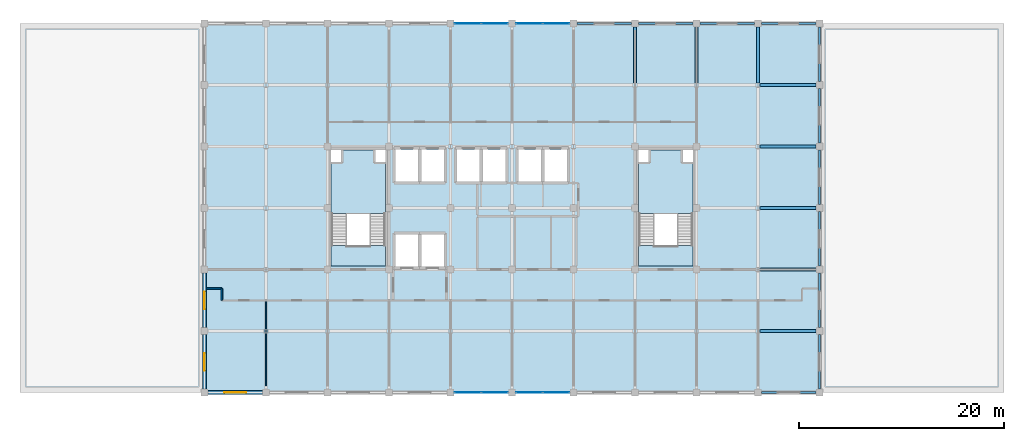
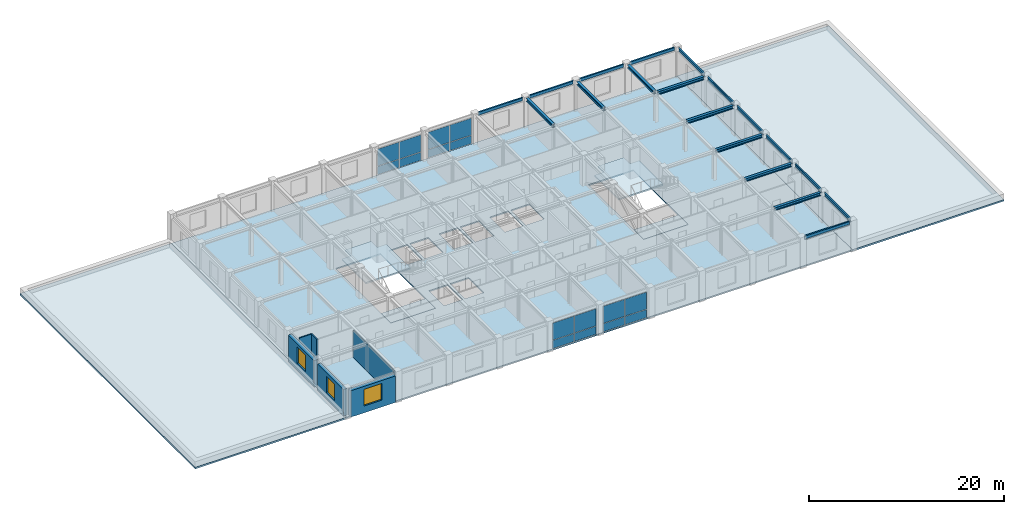
# One storey, part 7 of 13: 19 beams, 16 plates, 7 slabs, 6 walls, 3 windows, 3 openings, 6 elements without a shape of their own.
"""IFC4 building model written with IfcOpenShell, lengths in metres."""

from ifc_helpers import new_model, si_unit, direction, frame, frame_2d, origin, origin_2d, place, context, subcontext, project, spatial, polyline, rectangle, i_section, outline, extrude, material, layer, layer_set, material_profile, profile_set, type_object, element, fill, aggregate, save


model = new_model("IFC4")

# Units and contexts
model_context = context("Model", 3, precision=1e-05, world=origin(), true_north=direction((0.0, 1.0)))
body_context = subcontext(model_context, "Body", "Model", "MODEL_VIEW")
ifc_project = project(units=[si_unit("LENGTHUNIT", "METRE"), si_unit("AREAUNIT", "SQUARE_METRE"), si_unit("VOLUMEUNIT", "CUBIC_METRE"), si_unit("PLANEANGLEUNIT", "RADIAN"), si_unit("MASSUNIT", "GRAM", prefix="KILO")], contexts=[model_context])

# Site, building, storey
site_placement = place(None, origin())
site = spatial("IfcSite", under=ifc_project, at=site_placement, CompositionType="ELEMENT")
building_placement = place(site_placement, origin())
building = spatial("IfcBuilding", under=site, at=building_placement, Name="Zlatovratsky Civic Hall", CompositionType="ELEMENT")
storey_placement = place(building_placement, frame((0.0, 0.0, 24.89990234375)))
storey = spatial("IfcBuildingStorey", under=building, at=storey_placement, Name="L06", CompositionType="ELEMENT", Elevation=24.89990234375)

# Beams
ifc_material_1 = material(Name="Steel S355", Category="steel")
ifc_material_profile_1 = material_profile(ifc_material_1, i_section(OverallWidth=0.169921875, OverallDepth=0.446044921875, WebThickness=0.007568359375, FlangeThickness=0.010986328125, FilletRadius=0.01611328125, at=origin_2d()), Name="45B1")
ifc_profile_set_1 = profile_set([ifc_material_profile_1], Name="Steel S355")
beam_type_1 = type_object("IfcBeamType", Name="Beam_Spandrel_45B1", PredefinedType="SPANDREL", material=ifc_profile_set_1)
for number, where, z_axis, x_axis, name in (
    (1, (108.35009765625, 72.0, 3.51708984375), (1.0, 0.0, 0.0), (0.0, 1.0, 0.0), "BM-4118"),
    (2, (90.35009765625, 108.0, 3.51708984375), (1.0, 0.0, 0.0), (0.0, 1.0, 0.0), "BM-4173"),
    (3, (96.35009765625, 108.0, 3.51708984375), (1.0, 0.0, 0.0), (0.0, 1.0, 0.0), "BM-4174"),
    (4, (102.35009765625, 108.0, 3.51708984375), (1.0, 0.0, 0.0), (0.0, 1.0, 0.0), "BM-4175"),
    (5, (108.35009765625, 108.0, 3.51708984375), (1.0, 0.0, 0.0), (0.0, 1.0, 0.0), "BM-4176"),
    (6, (114.0, 72.35009765625, 3.51708984375), (0.0, 1.0, 0.0), (-1.0, 0.0, 0.0), "BM-4237"),
    (7, (114.0, 78.35009765625, 3.51708984375), (0.0, 1.0, 0.0), (-1.0, 0.0, 0.0), "BM-4238"),
    (8, (114.0, 84.35009765625, 3.51708984375), (0.0, 1.0, 0.0), (-1.0, 0.0, 0.0), "BM-4239"),
    (9, (114.0, 90.35009765625, 3.51708984375), (0.0, 1.0, 0.0), (-1.0, 0.0, 0.0), "BM-4240"),
    (10, (114.0, 96.35009765625, 3.51708984375), (0.0, 1.0, 0.0), (-1.0, 0.0, 0.0), "BM-4241"),
    (11, (114.0, 102.35009765625, 3.51708984375), (0.0, 1.0, 0.0), (-1.0, 0.0, 0.0), "BM-4242"),
):
    element("IfcBeam", number, at=place(storey_placement, frame(where, z_axis=z_axis, x_axis=x_axis)), inside=storey, type_object=beam_type_1, Name=name, PredefinedType="SPANDREL", context=body_context, shape_type="SweptSolid", body=[
        extrude(i_section(OverallWidth=0.169921875, OverallDepth=0.446044921875, WebThickness=0.007568359375, FlangeThickness=0.010986328125, FilletRadius=0.01611328125, at=origin_2d()), origin(), (0.0, 0.0, 1.0), 5.2998046875),
    ])
ifc_material_profile_2 = material_profile(ifc_material_1, i_section(OverallWidth=0.300048828125, OverallDepth=0.387939453125, WebThickness=0.009521484375, FlangeThickness=0.013916015625, FilletRadius=0.02197265625, at=origin_2d()), Name="40Sh1")
ifc_profile_set_2 = profile_set([ifc_material_profile_2], Name="Steel S355")
beam_type_2 = type_object("IfcBeamType", Name="Beam_TowerMid_40Sh1", PredefinedType="BEAM", material=ifc_profile_set_2)
for number, where, z_axis, x_axis, name in (
    (12, (108.199951171875, 78.0, 3.546142578125), (1.0, 0.0, 0.0), (0.0, 1.0, 0.0), "BM-4128"),
    (13, (108.199951171875, 84.0, 3.546142578125), (1.0, 0.0, 0.0), (0.0, 1.0, 0.0), "BM-4138"),
    (14, (108.199951171875, 90.0, 3.546142578125), (1.0, 0.0, 0.0), (0.0, 1.0, 0.0), "BM-4146"),
    (15, (108.199951171875, 96.0, 3.546142578125), (1.0, 0.0, 0.0), (0.0, 1.0, 0.0), "BM-4156"),
    (16, (108.199951171875, 102.0, 3.546142578125), (1.0, 0.0, 0.0), (0.0, 1.0, 0.0), "BM-4166"),
    (17, (96.0, 102.199951171875, 3.546142578125), (0.0, 1.0, 0.0), (-1.0, 0.0, 0.0), "BM-4224"),
    (18, (102.0, 102.199951171875, 3.546142578125), (0.0, 1.0, 0.0), (-1.0, 0.0, 0.0), "BM-4230"),
    (19, (108.0, 102.199951171875, 3.546142578125), (0.0, 1.0, 0.0), (-1.0, 0.0, 0.0), "BM-4236"),
):
    element("IfcBeam", number, at=place(storey_placement, frame(where, z_axis=z_axis, x_axis=x_axis)), inside=storey, type_object=beam_type_2, Name=name, PredefinedType="BEAM", context=body_context, shape_type="SweptSolid", body=[
        extrude(i_section(OverallWidth=0.300048828125, OverallDepth=0.387939453125, WebThickness=0.009521484375, FlangeThickness=0.013916015625, FilletRadius=0.02197265625, at=origin_2d()), origin(), (0.0, 0.0, 1.0), 5.449951171875),
    ])

# Curtain wall, plates
ifc_material_2 = material(Name="Anodised bronze aluminium", Category="aluminium")
ifc_layer_1 = layer(ifc_material_2, 0.159912109375)
ifc_layer_set_1 = layer_set([ifc_layer_1], Name="Anodised bronze aluminium")
curtain_wall_type = type_object("IfcCurtainWallType", Name="CurtainWall_Bronze_5300x3320_21", PredefinedType="NOTDEFINED", material=ifc_layer_set_1)
curtain_wall_1_placement = place(storey_placement, origin())
curtain_wall_1 = element("IfcCurtainWall", 20, at=curtain_wall_1_placement, inside=storey, type_object=curtain_wall_type, Name="CW-133", PredefinedType="NOTDEFINED")
ifc_material_3 = material(Name="Solar-control triple glazing", Category="glass")
ifc_layer_2 = layer(ifc_material_3, 0.028076171875)
ifc_layer_set_2 = layer_set([ifc_layer_2], Name="Solar-control triple glazing")
plate_type = type_object("IfcPlateType", Name="Panel_TowerTripleGlazing_28", PredefinedType="CURTAIN_PANEL", material=ifc_layer_set_2)
plate_1_placement = place(storey_placement, frame((79.68994140625, 72.0, 0.06005859375), z_axis=(0.0, 0.0, 1.0), x_axis=(1.0, 0.0, 0.0)))
plate_1 = element("IfcPlate", 21, at=plate_1_placement, type_object=plate_type, Name="CW-21 panel 1.1", PredefinedType="CURTAIN_PANEL", context=body_context, shape_type="SweptSolid", body=[
    extrude(rectangle(XDim=2.56005859375, YDim=0.028076171875, at=origin_2d()), origin(), (0.0, 0.0, 1.0), 1.010009765625),
])
plate_2_placement = place(storey_placement, frame((79.68994140625, 72.0, 1.130126953125), z_axis=(0.0, 0.0, 1.0), x_axis=(1.0, 0.0, 0.0)))
plate_2 = element("IfcPlate", 22, at=plate_2_placement, type_object=plate_type, Name="CW-21 panel 1.2", PredefinedType="CURTAIN_PANEL", context=body_context, shape_type="SweptSolid", body=[
    extrude(rectangle(XDim=2.56005859375, YDim=0.028076171875, at=origin_2d()), origin(), (0.0, 0.0, 1.0), 2.1298828125),
])
plate_3_placement = place(storey_placement, frame((82.31005859375, 72.0, 0.06005859375), z_axis=(0.0, 0.0, 1.0), x_axis=(1.0, 0.0, 0.0)))
plate_3 = element("IfcPlate", 23, at=plate_3_placement, type_object=plate_type, Name="CW-21 panel 2.1", PredefinedType="CURTAIN_PANEL", context=body_context, shape_type="SweptSolid", body=[
    extrude(rectangle(XDim=2.56005859375, YDim=0.028076171875, at=origin_2d()), origin(), (0.0, 0.0, 1.0), 1.010009765625),
])
plate_4_placement = place(storey_placement, frame((82.31005859375, 72.0, 1.130126953125), z_axis=(0.0, 0.0, 1.0), x_axis=(1.0, 0.0, 0.0)))
plate_4 = element("IfcPlate", 24, at=plate_4_placement, type_object=plate_type, Name="CW-21 panel 2.2", PredefinedType="CURTAIN_PANEL", context=body_context, shape_type="SweptSolid", body=[
    extrude(rectangle(XDim=2.56005859375, YDim=0.028076171875, at=origin_2d()), origin(), (0.0, 0.0, 1.0), 2.1298828125),
])
aggregate(curtain_wall_1, [plate_1, plate_2, plate_3, plate_4])

curtain_wall_2_placement = place(storey_placement, origin())
curtain_wall_2 = element("IfcCurtainWall", 25, at=curtain_wall_2_placement, inside=storey, type_object=curtain_wall_type, Name="CW-134", PredefinedType="NOTDEFINED")
plate_5_placement = place(storey_placement, frame((85.68994140625, 72.0, 0.06005859375), z_axis=(0.0, 0.0, 1.0), x_axis=(1.0, 0.0, 0.0)))
plate_5 = element("IfcPlate", 26, at=plate_5_placement, type_object=plate_type, Name="CW-21 panel 1.1", PredefinedType="CURTAIN_PANEL", context=body_context, shape_type="SweptSolid", body=[
    extrude(rectangle(XDim=2.56005859375, YDim=0.028076171875, at=origin_2d()), origin(), (0.0, 0.0, 1.0), 1.010009765625),
])
plate_6_placement = place(storey_placement, frame((85.68994140625, 72.0, 1.130126953125), z_axis=(0.0, 0.0, 1.0), x_axis=(1.0, 0.0, 0.0)))
plate_6 = element("IfcPlate", 27, at=plate_6_placement, type_object=plate_type, Name="CW-21 panel 1.2", PredefinedType="CURTAIN_PANEL", context=body_context, shape_type="SweptSolid", body=[
    extrude(rectangle(XDim=2.56005859375, YDim=0.028076171875, at=origin_2d()), origin(), (0.0, 0.0, 1.0), 2.1298828125),
])
plate_7_placement = place(storey_placement, frame((88.31005859375, 72.0, 0.06005859375), z_axis=(0.0, 0.0, 1.0), x_axis=(1.0, 0.0, 0.0)))
plate_7 = element("IfcPlate", 28, at=plate_7_placement, type_object=plate_type, Name="CW-21 panel 2.1", PredefinedType="CURTAIN_PANEL", context=body_context, shape_type="SweptSolid", body=[
    extrude(rectangle(XDim=2.56005859375, YDim=0.028076171875, at=origin_2d()), origin(), (0.0, 0.0, 1.0), 1.010009765625),
])
plate_8_placement = place(storey_placement, frame((88.31005859375, 72.0, 1.130126953125), z_axis=(0.0, 0.0, 1.0), x_axis=(1.0, 0.0, 0.0)))
plate_8 = element("IfcPlate", 29, at=plate_8_placement, type_object=plate_type, Name="CW-21 panel 2.2", PredefinedType="CURTAIN_PANEL", context=body_context, shape_type="SweptSolid", body=[
    extrude(rectangle(XDim=2.56005859375, YDim=0.028076171875, at=origin_2d()), origin(), (0.0, 0.0, 1.0), 2.1298828125),
])
aggregate(curtain_wall_2, [plate_5, plate_6, plate_7, plate_8])

curtain_wall_3_placement = place(storey_placement, origin())
curtain_wall_3 = element("IfcCurtainWall", 30, at=curtain_wall_3_placement, inside=storey, type_object=curtain_wall_type, Name="CW-135", PredefinedType="NOTDEFINED")
plate_9_placement = place(storey_placement, frame((79.68994140625, 108.0, 0.06005859375), z_axis=(0.0, 0.0, 1.0), x_axis=(1.0, 0.0, 0.0)))
plate_9 = element("IfcPlate", 31, at=plate_9_placement, type_object=plate_type, Name="CW-21 panel 1.1", PredefinedType="CURTAIN_PANEL", context=body_context, shape_type="SweptSolid", body=[
    extrude(rectangle(XDim=2.56005859375, YDim=0.028076171875, at=origin_2d()), origin(), (0.0, 0.0, 1.0), 1.010009765625),
])
plate_10_placement = place(storey_placement, frame((79.68994140625, 108.0, 1.130126953125), z_axis=(0.0, 0.0, 1.0), x_axis=(1.0, 0.0, 0.0)))
plate_10 = element("IfcPlate", 32, at=plate_10_placement, type_object=plate_type, Name="CW-21 panel 1.2", PredefinedType="CURTAIN_PANEL", context=body_context, shape_type="SweptSolid", body=[
    extrude(rectangle(XDim=2.56005859375, YDim=0.028076171875, at=origin_2d()), origin(), (0.0, 0.0, 1.0), 2.1298828125),
])
plate_11_placement = place(storey_placement, frame((82.31005859375, 108.0, 0.06005859375), z_axis=(0.0, 0.0, 1.0), x_axis=(1.0, 0.0, 0.0)))
plate_11 = element("IfcPlate", 33, at=plate_11_placement, type_object=plate_type, Name="CW-21 panel 2.1", PredefinedType="CURTAIN_PANEL", context=body_context, shape_type="SweptSolid", body=[
    extrude(rectangle(XDim=2.56005859375, YDim=0.028076171875, at=origin_2d()), origin(), (0.0, 0.0, 1.0), 1.010009765625),
])
plate_12_placement = place(storey_placement, frame((82.31005859375, 108.0, 1.130126953125), z_axis=(0.0, 0.0, 1.0), x_axis=(1.0, 0.0, 0.0)))
plate_12 = element("IfcPlate", 34, at=plate_12_placement, type_object=plate_type, Name="CW-21 panel 2.2", PredefinedType="CURTAIN_PANEL", context=body_context, shape_type="SweptSolid", body=[
    extrude(rectangle(XDim=2.56005859375, YDim=0.028076171875, at=origin_2d()), origin(), (0.0, 0.0, 1.0), 2.1298828125),
])
aggregate(curtain_wall_3, [plate_9, plate_10, plate_11, plate_12])

curtain_wall_4_placement = place(storey_placement, origin())
curtain_wall_4 = element("IfcCurtainWall", 35, at=curtain_wall_4_placement, inside=storey, type_object=curtain_wall_type, Name="CW-136", PredefinedType="NOTDEFINED")
plate_13_placement = place(storey_placement, frame((85.68994140625, 108.0, 0.06005859375), z_axis=(0.0, 0.0, 1.0), x_axis=(1.0, 0.0, 0.0)))
plate_13 = element("IfcPlate", 36, at=plate_13_placement, type_object=plate_type, Name="CW-21 panel 1.1", PredefinedType="CURTAIN_PANEL", context=body_context, shape_type="SweptSolid", body=[
    extrude(rectangle(XDim=2.56005859375, YDim=0.028076171875, at=origin_2d()), origin(), (0.0, 0.0, 1.0), 1.010009765625),
])
plate_14_placement = place(storey_placement, frame((85.68994140625, 108.0, 1.130126953125), z_axis=(0.0, 0.0, 1.0), x_axis=(1.0, 0.0, 0.0)))
plate_14 = element("IfcPlate", 37, at=plate_14_placement, type_object=plate_type, Name="CW-21 panel 1.2", PredefinedType="CURTAIN_PANEL", context=body_context, shape_type="SweptSolid", body=[
    extrude(rectangle(XDim=2.56005859375, YDim=0.028076171875, at=origin_2d()), origin(), (0.0, 0.0, 1.0), 2.1298828125),
])
plate_15_placement = place(storey_placement, frame((88.31005859375, 108.0, 0.06005859375), z_axis=(0.0, 0.0, 1.0), x_axis=(1.0, 0.0, 0.0)))
plate_15 = element("IfcPlate", 38, at=plate_15_placement, type_object=plate_type, Name="CW-21 panel 2.1", PredefinedType="CURTAIN_PANEL", context=body_context, shape_type="SweptSolid", body=[
    extrude(rectangle(XDim=2.56005859375, YDim=0.028076171875, at=origin_2d()), origin(), (0.0, 0.0, 1.0), 1.010009765625),
])
plate_16_placement = place(storey_placement, frame((88.31005859375, 108.0, 1.130126953125), z_axis=(0.0, 0.0, 1.0), x_axis=(1.0, 0.0, 0.0)))
plate_16 = element("IfcPlate", 39, at=plate_16_placement, type_object=plate_type, Name="CW-21 panel 2.2", PredefinedType="CURTAIN_PANEL", context=body_context, shape_type="SweptSolid", body=[
    extrude(rectangle(XDim=2.56005859375, YDim=0.028076171875, at=origin_2d()), origin(), (0.0, 0.0, 1.0), 2.1298828125),
])
aggregate(curtain_wall_4, [plate_13, plate_14, plate_15, plate_16])

# Slabs
ifc_material_4 = material(Name="Concrete C35/45 (B40)", Category="concrete")
ifc_layer_3 = layer(ifc_material_4, 0.199951171875)
ifc_layer_set_3 = layer_set([ifc_layer_3], Name="Concrete C35/45 (B40)")
slab_type_1 = type_object("IfcSlabType", Name="Slab_ChamberCofferedRoof_200", PredefinedType="ROOF", material=ifc_layer_set_3)
slab_1_placement = place(storey_placement, frame((0.0, 0.0, -0.199951171875)))
element("IfcSlab", 40, at=slab_1_placement, inside=storey, type_object=slab_type_1, Name="SL-102", PredefinedType="ROOF", context=body_context, shape_type="SweptSolid", body=[
    extrude(outline(polyline([(36.0, 72.0), (54.0, 72.0), (54.0, 108.0), (36.0, 108.0), (36.0, 72.0)])), origin(), (0.0, 0.0, 1.0), 0.199951171875),
])
slab_2_placement = place(storey_placement, frame((0.0, 0.0, -0.199951171875)))
element("IfcSlab", 41, at=slab_2_placement, inside=storey, type_object=slab_type_1, Name="SL-103", PredefinedType="ROOF", context=body_context, shape_type="SweptSolid", body=[
    extrude(outline(polyline([(114.0, 72.0), (132.0, 72.0), (132.0, 108.0), (114.0, 108.0), (114.0, 72.0)])), origin(), (0.0, 0.0, 1.0), 0.199951171875),
])
ifc_material_5 = material(Name="Concrete C30/37 (B35)", Category="concrete")
ifc_layer_4 = layer(ifc_material_5, 0.239990234375)
ifc_layer_set_4 = layer_set([ifc_layer_4], Name="Concrete C30/37 (B35)")
slab_type_2 = type_object("IfcSlabType", Name="Slab_CivicPodiumFloor_240", PredefinedType="FLOOR", material=ifc_layer_set_4)
slab_3_placement = place(storey_placement, frame((0.0, 0.0, -0.239990234375)))
element("IfcSlab", 42, at=slab_3_placement, inside=storey, type_object=slab_type_2, Name="SL-051", PredefinedType="FLOOR", context=body_context, shape_type="SweptSolid", body=[
    extrude(outline(polyline([(66.35009765625, 84.35009765625), (71.64990234375, 84.35009765625), (71.64990234375, 86.35009765625), (66.35009765625, 86.35009765625), (66.35009765625, 84.35009765625)])), origin(), (0.0, 0.0, 1.0), 0.239990234375),
])
slab_4_placement = place(storey_placement, frame((0.0, 0.0, -0.239990234375)))
element("IfcSlab", 43, at=slab_4_placement, inside=storey, type_object=slab_type_2, Name="SL-052", PredefinedType="FLOOR", context=body_context, shape_type="SweptSolid", body=[
    extrude(outline(polyline([(96.35009765625, 84.35009765625), (101.64990234375, 84.35009765625), (101.64990234375, 86.35009765625), (96.35009765625, 86.35009765625), (96.35009765625, 84.35009765625)])), origin(), (0.0, 0.0, 1.0), 0.239990234375),
])

# Stair, slab
stair_type = type_object("IfcStairType", Name="Stair_HALF_24R_1550W_04", PredefinedType="HALF_TURN_STAIR", material=ifc_material_5)
stair_1_placement = place(storey_placement, origin())
stair_1 = element("IfcStair", 44, at=stair_1_placement, inside=storey, type_object=stair_type, Name="ST-007", PredefinedType="HALF_TURN_STAIR")
ifc_layer_5 = layer(ifc_material_5, 0.179931640625)
ifc_layer_set_5 = layer_set([ifc_layer_5], Name="Concrete C30/37 (B35)")
slab_type_3 = type_object("IfcSlabType", Name="Slab_StairLanding_180", PredefinedType="LANDING", material=ifc_layer_set_5)
slab_5_placement = place(storey_placement, frame((0.0, 0.0, 1.77001953125)))
slab_5 = element("IfcSlab", 45, at=slab_5_placement, type_object=slab_type_3, Name="SL-LD-07", PredefinedType="LANDING", context=body_context, shape_type="SweptSolid", body=[
    extrude(outline(polyline([(66.35009765625, 89.485107421875), (71.64990234375, 89.485107421875), (71.64990234375, 94.39990234375), (70.550048828125, 94.39990234375), (70.550048828125, 95.64990234375), (67.449951171875, 95.64990234375), (67.449951171875, 94.39990234375), (66.35009765625, 94.39990234375), (66.35009765625, 89.485107421875)])), origin(), (0.0, 0.0, 1.0), 0.18017578125),
])
aggregate(stair_1, [slab_5])

stair_2_placement = place(storey_placement, origin())
stair_2 = element("IfcStair", 46, at=stair_2_placement, inside=storey, type_object=stair_type, Name="ST-026", PredefinedType="HALF_TURN_STAIR")
slab_6_placement = place(storey_placement, frame((0.0, 0.0, 1.77001953125)))
slab_6 = element("IfcSlab", 47, at=slab_6_placement, type_object=slab_type_3, Name="SL-LD-26", PredefinedType="LANDING", context=body_context, shape_type="SweptSolid", body=[
    extrude(outline(polyline([(96.35009765625, 89.485107421875), (101.64990234375, 89.485107421875), (101.64990234375, 94.39990234375), (100.550048828125, 94.39990234375), (100.550048828125, 95.64990234375), (97.449951171875, 95.64990234375), (97.449951171875, 94.39990234375), (96.35009765625, 94.39990234375), (96.35009765625, 89.485107421875)])), origin(), (0.0, 0.0, 1.0), 0.18017578125),
])
aggregate(stair_2, [slab_6])

# Slab
ifc_layer_6 = layer(ifc_material_5, 0.159912109375)
ifc_layer_set_6 = layer_set([ifc_layer_6], Name="Concrete C30/37 (B35)")
slab_type_4 = type_object("IfcSlabType", Name="Slab_TowerCompositeFloor_160", PredefinedType="FLOOR", material=ifc_layer_set_6)
slab_7_placement = place(storey_placement, frame((0.0, 0.0, -0.159912109375)))
element("IfcSlab", 48, at=slab_7_placement, inside=storey, type_object=slab_type_4, Name="SL-050", PredefinedType="FLOOR", context=body_context, shape_type="SweptSolid", body=[
    extrude(outline(polyline([(54.0, 72.0), (114.0, 72.0), (114.0, 108.0), (54.0, 108.0), (54.0, 72.0)]), holes=[polyline([(66.35009765625, 84.35009765625), (71.64990234375, 84.35009765625), (71.64990234375, 95.64990234375), (66.35009765625, 95.64990234375), (66.35009765625, 84.35009765625)]), polyline([(96.35009765625, 84.35009765625), (101.64990234375, 84.35009765625), (101.64990234375, 95.64990234375), (96.35009765625, 95.64990234375), (96.35009765625, 84.35009765625)]), polyline([(72.64990234375, 84.300048828125), (74.85009765625, 84.300048828125), (74.85009765625, 87.39990234375), (72.64990234375, 87.39990234375), (72.64990234375, 84.300048828125)]), polyline([(75.14990234375, 84.300048828125), (77.35009765625, 84.300048828125), (77.35009765625, 87.39990234375), (75.14990234375, 87.39990234375), (75.14990234375, 84.300048828125)]), polyline([(72.64990234375, 92.60009765625), (74.85009765625, 92.60009765625), (74.85009765625, 95.699951171875), (72.64990234375, 95.699951171875), (72.64990234375, 92.60009765625)]), polyline([(75.14990234375, 92.60009765625), (77.35009765625, 92.60009765625), (77.35009765625, 95.699951171875), (75.14990234375, 95.699951171875), (75.14990234375, 92.60009765625)]), polyline([(78.64990234375, 92.60009765625), (80.85009765625, 92.60009765625), (80.85009765625, 95.699951171875), (78.64990234375, 95.699951171875), (78.64990234375, 92.60009765625)]), polyline([(81.14990234375, 92.60009765625), (83.35009765625, 92.60009765625), (83.35009765625, 95.699951171875), (81.14990234375, 95.699951171875), (81.14990234375, 92.60009765625)]), polyline([(84.64990234375, 92.60009765625), (86.85009765625, 92.60009765625), (86.85009765625, 95.699951171875), (84.64990234375, 95.699951171875), (84.64990234375, 92.60009765625)]), polyline([(87.14990234375, 92.60009765625), (89.35009765625, 92.60009765625), (89.35009765625, 95.699951171875), (87.14990234375, 95.699951171875), (87.14990234375, 92.60009765625)])]), origin(), (0.0, 0.0, 1.0), 0.159912109375),
])

# Walls
ifc_material_6 = material(Name="Fire-rated gypsum board framing", Category="gypsum")
ifc_layer_7 = layer(ifc_material_6, 0.139892578125)
ifc_layer_set_7 = layer_set([ifc_layer_7], Name="Fire-rated gypsum board framing")
wall_type_1 = type_object("IfcWallType", Name="Wall_OfficePartition_140", PredefinedType="PARTITIONING", material=ifc_layer_set_7)
wall_1_placement = place(storey_placement, frame((60.0, 72.64990234375, 0.0), z_axis=(0.0, 0.0, 1.0), x_axis=(0.0, 1.0, 0.0)))
element("IfcWall", 49, at=wall_1_placement, inside=storey, type_object=wall_type_1, Name="WL-6320", PredefinedType="PARTITIONING", context=body_context, shape_type="SweptSolid", body=[
    extrude(rectangle(XDim=8.35009765625, YDim=0.139892578125, at=frame_2d((4.175048828125, 0.0))), origin(), (0.0, 0.0, 1.0), 3.35205078125),
])
wall_2_placement = place(storey_placement, frame((55.699951171875, 81.0, 0.0), z_axis=(0.0, 0.0, 1.0), x_axis=(0.0, 1.0, 0.0)))
element("IfcWall", 50, at=wall_2_placement, inside=storey, type_object=wall_type_1, Name="WL-6339", PredefinedType="PARTITIONING", context=body_context, shape_type="SweptSolid", body=[
    extrude(rectangle(XDim=1.14990234375, YDim=0.139892578125, at=frame_2d((0.574951171875, 0.0))), origin(), (0.0, 0.0, 1.0), 3.739990234375),
])
wall_3_placement = place(storey_placement, frame((55.699951171875, 82.14990234375, 0.0), z_axis=(0.0, 0.0, 1.0), x_axis=(-1.0, 0.0, 0.0)))
element("IfcWall", 51, at=wall_3_placement, inside=storey, type_object=wall_type_1, Name="WL-6340", PredefinedType="PARTITIONING", context=body_context, shape_type="SweptSolid", body=[
    extrude(rectangle(XDim=1.489990234375, YDim=0.139892578125, at=frame_2d((0.7451171875, 0.0))), origin(), (0.0, 0.0, 1.0), 3.739990234375),
])

# Wall, opening, window
ifc_material_7 = material(Name="Acoustic ceramic blockwork", Category="masonry")
ifc_layer_8 = layer(ifc_material_7, 0.280029296875, Name="Backing")
ifc_material_8 = material(Name="Podolsk limestone ashlar", Category="masonry")
ifc_layer_9 = layer(ifc_material_8, 0.139892578125, Name="Finish")
ifc_layer_set_8 = layer_set([ifc_layer_8, ifc_layer_9], Name="Acoustic ceramic blockwork")
wall_type_2 = type_object("IfcWallType", Name="Wall_TowerLimestoneAshlar_420", PredefinedType="SOLIDWALL", material=ifc_layer_set_8)
wall_4_placement = place(storey_placement, frame((54.35009765625, 72.0, 0.0), z_axis=(0.0, 0.0, 1.0), x_axis=(1.0, 0.0, 0.0)))
wall_4 = element("IfcWall", 52, at=wall_4_placement, inside=storey, type_object=wall_type_2, Name="WL-0417", PredefinedType="SOLIDWALL", context=body_context, shape_type="SweptSolid", body=[
    extrude(rectangle(XDim=5.2998046875, YDim=0.419921875, at=frame_2d((2.64990234375, 0.0))), origin(), (0.0, 0.0, 1.0), 3.320068359375),
])
opening_1_placement = place(wall_4_placement, frame((1.60009765625, 0.0, 0.85009765625)))
opening_1 = element("IfcOpeningElement", 53, at=opening_1_placement, cuts=wall_4, Name="Opening WN-14", PredefinedType="OPENING", context=body_context, shape_type="SweptSolid", body=[
    extrude(rectangle(XDim=2.10009765625, YDim=2.10009765625, at=frame_2d((1.050048828125, 1.050048828125))), frame((0.0, 0.224853515625, 0.0), z_axis=(0.0, -1.0, 0.0), x_axis=(1.0, 0.0, 0.0)), (0.0, 0.0, 1.0), 0.44970703125),
])
ifc_material_9 = material(Name="Low-E laminated double glazing", Category="glass")
window_type_1 = type_object("IfcWindowType", Name="Window_TowerTier1South_2100x2100", PartitioningType="SINGLE_PANEL", PredefinedType="WINDOW", material=ifc_material_9)
window_1_placement = place(opening_1_placement, origin())
window_1 = element("IfcWindow", 54, at=window_1_placement, inside=storey, type_object=window_type_1, Name="WN-0321", OverallHeight=2.10009765625, OverallWidth=2.10009765625, PartitioningType="SINGLE_PANEL", PredefinedType="WINDOW", context=body_context, shape_type="SweptSolid", body=[
    extrude(rectangle(XDim=2.10009765625, YDim=2.10009765625, at=frame_2d((1.050048828125, 1.050048828125))), frame((0.0, 0.030029296875, 0.0), z_axis=(0.0, -1.0, 0.0), x_axis=(1.0, 0.0, 0.0)), (0.0, 0.0, 1.0), 0.06005859375),
])
fill(opening_1, window_1)

wall_5_placement = place(storey_placement, frame((54.0, 72.35009765625, 0.0), z_axis=(0.0, 0.0, 1.0), x_axis=(0.0, 1.0, 0.0)))
wall_5 = element("IfcWall", 55, at=wall_5_placement, inside=storey, type_object=wall_type_2, Name="WL-0433", PredefinedType="SOLIDWALL", context=body_context, shape_type="SweptSolid", body=[
    extrude(rectangle(XDim=5.2998046875, YDim=0.419921875, at=frame_2d((2.64990234375, 0.0))), origin(), (0.0, 0.0, 1.0), 3.320068359375),
])
opening_2_placement = place(wall_5_placement, frame((1.800048828125, 0.0, 0.85009765625)))
opening_2 = element("IfcOpeningElement", 56, at=opening_2_placement, cuts=wall_5, Name="Opening WN-16", PredefinedType="OPENING", context=body_context, shape_type="SweptSolid", body=[
    extrude(rectangle(XDim=1.699951171875, YDim=2.050048828125, at=frame_2d((0.85009765625, 1.02490234375))), frame((0.0, 0.224853515625, 0.0), z_axis=(0.0, -1.0, 0.0), x_axis=(1.0, 0.0, 0.0)), (0.0, 0.0, 1.0), 0.44970703125),
])
window_type_2 = type_object("IfcWindowType", Name="Window_TowerTier1Flank_1700x2050", PartitioningType="SINGLE_PANEL", PredefinedType="WINDOW", material=ifc_material_9)
window_2_placement = place(opening_2_placement, origin())
window_2 = element("IfcWindow", 57, at=window_2_placement, inside=storey, type_object=window_type_2, Name="WN-0337", OverallHeight=2.050048828125, OverallWidth=1.699951171875, PartitioningType="SINGLE_PANEL", PredefinedType="WINDOW", context=body_context, shape_type="SweptSolid", body=[
    extrude(rectangle(XDim=1.699951171875, YDim=2.050048828125, at=frame_2d((0.85009765625, 1.02490234375))), frame((0.0, 0.030029296875, 0.0), z_axis=(0.0, -1.0, 0.0), x_axis=(1.0, 0.0, 0.0)), (0.0, 0.0, 1.0), 0.06005859375),
])
fill(opening_2, window_2)

wall_6_placement = place(storey_placement, frame((54.0, 78.35009765625, 0.0), z_axis=(0.0, 0.0, 1.0), x_axis=(0.0, 1.0, 0.0)))
wall_6 = element("IfcWall", 58, at=wall_6_placement, inside=storey, type_object=wall_type_2, Name="WL-0434", PredefinedType="SOLIDWALL", context=body_context, shape_type="SweptSolid", body=[
    extrude(rectangle(XDim=5.2998046875, YDim=0.419921875, at=frame_2d((2.64990234375, 0.0))), origin(), (0.0, 0.0, 1.0), 3.320068359375),
])
opening_3_placement = place(wall_6_placement, frame((1.800048828125, 0.0, 0.85009765625)))
opening_3 = element("IfcOpeningElement", 59, at=opening_3_placement, cuts=wall_6, Name="Opening WN-16", PredefinedType="OPENING", context=body_context, shape_type="SweptSolid", body=[
    extrude(rectangle(XDim=1.699951171875, YDim=2.050048828125, at=frame_2d((0.85009765625, 1.02490234375))), frame((0.0, 0.224853515625, 0.0), z_axis=(0.0, -1.0, 0.0), x_axis=(1.0, 0.0, 0.0)), (0.0, 0.0, 1.0), 0.44970703125),
])
window_3_placement = place(opening_3_placement, origin())
window_3 = element("IfcWindow", 60, at=window_3_placement, inside=storey, type_object=window_type_2, Name="WN-0338", OverallHeight=2.050048828125, OverallWidth=1.699951171875, PartitioningType="SINGLE_PANEL", PredefinedType="WINDOW", context=body_context, shape_type="SweptSolid", body=[
    extrude(rectangle(XDim=1.699951171875, YDim=2.050048828125, at=frame_2d((0.85009765625, 1.02490234375))), frame((0.0, 0.030029296875, 0.0), z_axis=(0.0, -1.0, 0.0), x_axis=(1.0, 0.0, 0.0)), (0.0, 0.0, 1.0), 0.06005859375),
])
fill(opening_3, window_3)

save(model, "model.ifc")
